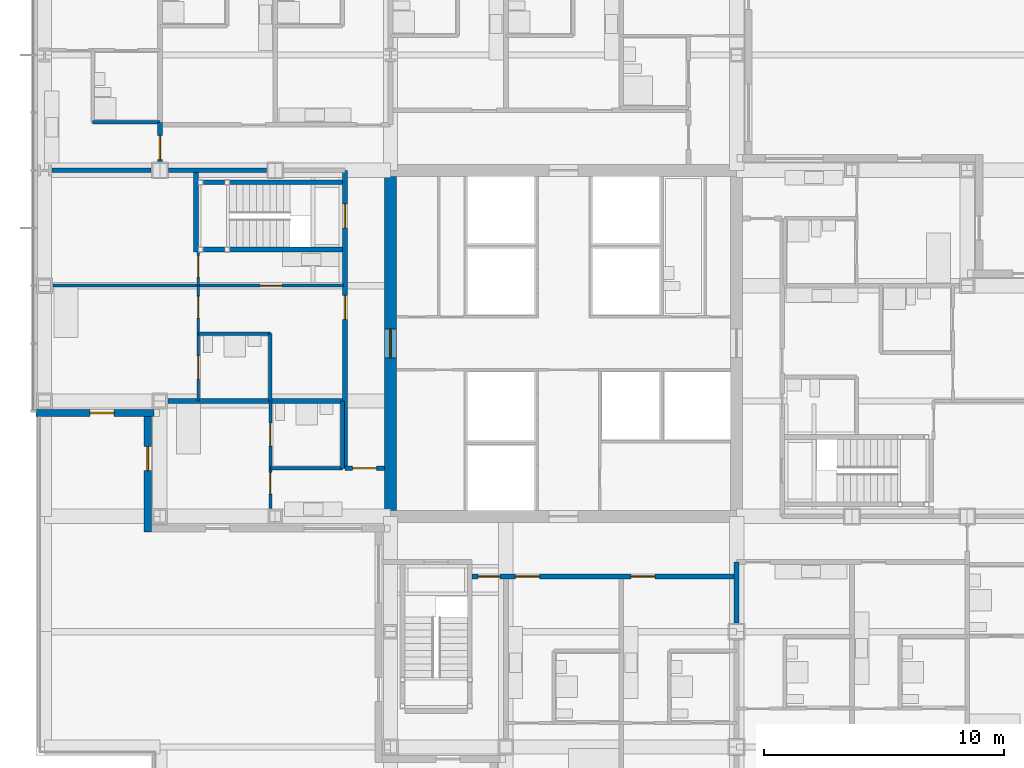
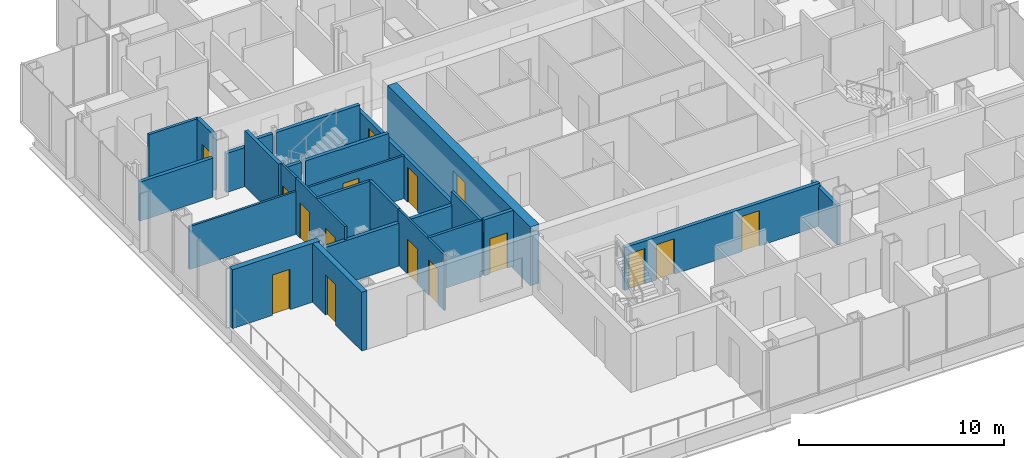
# One storey, part 12 of 19: 26 walls, 16 doors, 16 openings.
"""IFC4 building model written with IfcOpenShell, lengths in metres."""

from ifc_helpers import new_model, si_unit, direction, frame, frame_2d, origin, place, context, subcontext, project, spatial, rectangle, extrude, material, layer, layer_set, type_object, element, fill, save


model = new_model("IFC4")

# Units and contexts
model_context = context("Model", 3, precision=1e-05, world=origin(), true_north=direction((0.0, 1.0)))
body_context = subcontext(model_context, "Body", "Model", "MODEL_VIEW")
ifc_project = project(units=[si_unit("LENGTHUNIT", "METRE"), si_unit("AREAUNIT", "SQUARE_METRE"), si_unit("VOLUMEUNIT", "CUBIC_METRE"), si_unit("PLANEANGLEUNIT", "RADIAN"), si_unit("MASSUNIT", "GRAM", prefix="KILO")], contexts=[model_context])

# Site, building, storey
site_placement = place(None, origin())
site = spatial("IfcSite", under=ifc_project, at=site_placement, CompositionType="ELEMENT")
building_placement = place(site_placement, origin())
building = spatial("IfcBuilding", under=site, at=building_placement, Name="Kvirike Care Tower", CompositionType="ELEMENT")
storey_placement = place(building_placement, frame((0.0, 0.0, 84.0)))
storey = spatial("IfcBuildingStorey", under=building, at=storey_placement, Name="L22", CompositionType="ELEMENT", Elevation=84.0)

# Walls
ifc_material_1 = material(Name="Moisture-resistant board partition", Category="gypsum")
ifc_layer_1 = layer(ifc_material_1, 0.14990234375)
ifc_layer_set_1 = layer_set([ifc_layer_1], Name="BATHROOM WALL 150")
wall_type_1 = type_object("IfcWallType", Name="BATHROOM WALL 150", PredefinedType="PARTITIONING", material=ifc_layer_set_1)
wall_1_placement = place(storey_placement, frame((6.39990234375, 36.39990234375, 0.0), z_axis=(0.0, 0.0, 1.0), x_axis=(1.0, 0.0, 0.0)))
element("IfcWall", 1, at=wall_1_placement, inside=storey, type_object=wall_type_1, Name="Bathroom Wall 150 L22", PredefinedType="PARTITIONING", context=body_context, shape_type="SweptSolid", body=[
    extrude(rectangle(XDim=3.0, YDim=0.14990234375, at=frame_2d((1.5, 0.0))), origin(), (0.0, 0.0, 1.0), 3.330078125),
])
wall_2_placement = place(storey_placement, frame((9.39990234375, 36.39990234375, 0.0), z_axis=(0.0, 0.0, 1.0), x_axis=(0.0, -1.0, 0.0)))
element("IfcWall", 2, at=wall_2_placement, inside=storey, type_object=wall_type_1, Name="Bathroom Wall 150 L22", PredefinedType="PARTITIONING", context=body_context, shape_type="SweptSolid", body=[
    extrude(rectangle(XDim=2.7998046875, YDim=0.14990234375, at=frame_2d((1.39990234375, 0.0))), origin(), (0.0, 0.0, 1.0), 3.330078125),
])
wall_3_placement = place(storey_placement, frame((9.39990234375, 30.800048828125, 0.0), z_axis=(0.0, 0.0, 1.0), x_axis=(1.0, 0.0, 0.0)))
element("IfcWall", 3, at=wall_3_placement, inside=storey, type_object=wall_type_1, Name="Bathroom Wall 150 L22", PredefinedType="PARTITIONING", context=body_context, shape_type="SweptSolid", body=[
    extrude(rectangle(XDim=3.0, YDim=0.14990234375, at=frame_2d((1.5, 0.0))), origin(), (0.0, 0.0, 1.0), 3.330078125),
])
for number, where, z_axis, x_axis, name in (
    (4, (12.39990234375, 33.60009765625, 0.0), (0.0, 0.0, 1.0), (0.0, -1.0, 0.0), "Bathroom Wall 150 L22"),
    (5, (4.800048828125, 45.199951171875, 0.0), (0.0, 0.0, 1.0), (-1.0, 0.0, 0.0), "Bathroom Wall 150 L22"),
):
    element("IfcWall", number, at=place(storey_placement, frame(where, z_axis=z_axis, x_axis=x_axis)), inside=storey, type_object=wall_type_1, Name=name, PredefinedType="PARTITIONING", context=body_context, shape_type="SweptSolid", body=[
        extrude(rectangle(XDim=2.800048828125, YDim=0.14990234375, at=frame_2d((1.39990234375, 0.0))), origin(), (0.0, 0.0, 1.0), 3.330078125),
    ])

# Wall, opening, door
ifc_material_2 = material(Name="Concrete C50/60", Category="concrete")
ifc_layer_2 = layer(ifc_material_2, 0.5)
ifc_layer_set_2 = layer_set([ifc_layer_2], Name="CORE WALL 500 C50-60")
wall_type_2 = type_object("IfcWallType", Name="CORE WALL 500 C50-60", PredefinedType="SHEAR", material=ifc_layer_set_2)
wall_4_placement = place(storey_placement, frame((14.39990234375, 42.949951171875, -0.169921875), z_axis=(0.0, 0.0, 1.0), x_axis=(0.0, -1.0, 0.0)))
wall_4 = element("IfcWall", 6, at=wall_4_placement, inside=storey, type_object=wall_type_2, Name="Core wall W L22", PredefinedType="SHEAR", context=body_context, shape_type="SweptSolid", body=[
    extrude(rectangle(XDim=13.89990234375, YDim=0.5, at=frame_2d((6.949951171875, 0.0))), origin(), (0.0, 0.0, 1.0), 3.5),
])
opening_1_placement = place(wall_4_placement, frame((6.35009765625, 0.0, 0.169921875)))
opening_1 = element("IfcOpeningElement", 7, at=opening_1_placement, cuts=wall_4, Name="Opening 22-068", PredefinedType="OPENING", context=body_context, shape_type="SweptSolid", body=[
    extrude(rectangle(XDim=1.199951171875, YDim=2.10009765625, at=frame_2d((0.60009765625, 1.050048828125))), frame((0.0, 0.260498046875, 0.0), z_axis=(0.0, -1.0, 0.0), x_axis=(1.0, 0.0, 0.0)), (0.0, 0.0, 1.0), 0.52099609375),
])
ifc_material_3 = material(Name="Timber door set", Category="wood")
door_type_1 = type_object("IfcDoorType", Name="CORE DOOR 1200", OperationType="SINGLE_SWING_LEFT", PredefinedType="DOOR", material=ifc_material_3)
door_1_placement = place(opening_1_placement, origin())
door_1 = element("IfcDoor", 8, at=door_1_placement, inside=storey, type_object=door_type_1, Name="Core door W L22", OperationType="SINGLE_SWING_LEFT", OverallHeight=2.10009765625, OverallWidth=1.199951171875, PredefinedType="DOOR", context=body_context, shape_type="SweptSolid", body=[
    extrude(rectangle(XDim=1.199951171875, YDim=2.10009765625, at=frame_2d((0.60009765625, 1.050048828125))), frame((0.0, 0.02685546875, 0.0), z_axis=(0.0, -1.0, 0.0), x_axis=(1.0, 0.0, 0.0)), (0.0, 0.0, 1.0), 0.053955078125),
])
fill(opening_1, door_1)

# Wall, openings, doors
ifc_material_4 = material(Name="Plasterboard corridor wall", Category="gypsum")
ifc_layer_3 = layer(ifc_material_4, 0.199951171875)
ifc_layer_set_3 = layer_set([ifc_layer_3], Name="CORRIDOR WALL 200")
wall_type_3 = type_object("IfcWallType", Name="CORRIDOR WALL 200", PredefinedType="PARTITIONING", material=ifc_layer_set_3)
wall_5_placement = place(storey_placement, frame((12.5, 43.199951171875, 0.0), z_axis=(0.0, 0.0, 1.0), x_axis=(0.0, -1.0, 0.0)))
wall_5 = element("IfcWall", 9, at=wall_5_placement, inside=storey, type_object=wall_type_3, Name="Corridor Wall 200 L22", PredefinedType="PARTITIONING", context=body_context, shape_type="SweptSolid", body=[
    extrude(rectangle(XDim=12.39990234375, YDim=0.199951171875, at=frame_2d((6.199951171875, 0.0))), origin(), (0.0, 0.0, 1.0), 2.550048828125),
])
opening_2_placement = place(wall_5_placement, frame((1.39990234375, 0.0, 0.0)))
opening_2 = element("IfcOpeningElement", 10, at=opening_2_placement, cuts=wall_5, Name="Opening 22-007", PredefinedType="OPENING", context=body_context, shape_type="SweptSolid", body=[
    extrude(rectangle(XDim=1.0, YDim=2.10009765625, at=frame_2d((0.5, 1.050048828125))), frame((0.0, 0.110595703125, 0.0), z_axis=(0.0, -1.0, 0.0), x_axis=(1.0, 0.0, 0.0)), (0.0, 0.0, 1.0), 0.220947265625),
])
opening_3_placement = place(wall_5_placement, frame((5.199951171875, 0.0, 0.0)))
opening_3 = element("IfcOpeningElement", 11, at=opening_3_placement, cuts=wall_5, Name="Opening 22-008", PredefinedType="OPENING", context=body_context, shape_type="SweptSolid", body=[
    extrude(rectangle(XDim=1.0, YDim=2.10009765625, at=frame_2d((0.5, 1.050048828125))), frame((0.0, 0.110595703125, 0.0), z_axis=(0.0, -1.0, 0.0), x_axis=(1.0, 0.0, 0.0)), (0.0, 0.0, 1.0), 0.220947265625),
])
ifc_material_5 = material(Name="Timber door set", Category="wood")
door_type_2 = type_object("IfcDoorType", Name="FLAT ENTRANCE DOOR 1000", OperationType="SINGLE_SWING_LEFT", PredefinedType="DOOR", material=ifc_material_5)
door_2_placement = place(opening_3_placement, frame((1.0, 0.0, 0.0), z_axis=(0.0, 0.0, 1.0), x_axis=(-1.0, 0.0, 0.0)))
door_2 = element("IfcDoor", 12, at=door_2_placement, inside=storey, type_object=door_type_2, Name="Assisted living suite entrance", OperationType="SINGLE_SWING_LEFT", OverallHeight=2.10009765625, OverallWidth=1.0, PredefinedType="DOOR", context=body_context, shape_type="SweptSolid", body=[
    extrude(rectangle(XDim=1.0, YDim=2.10009765625, at=frame_2d((0.5, 1.050048828125))), frame((0.0, 0.02685546875, 0.0), z_axis=(0.0, -1.0, 0.0), x_axis=(1.0, 0.0, 0.0)), (0.0, 0.0, 1.0), 0.053955078125),
])
fill(opening_3, door_2)
ifc_material_6 = material(Name="Timber door set", Category="wood")
door_type_3 = type_object("IfcDoorType", Name="STAIR DOOR 1000", OperationType="SINGLE_SWING_LEFT", PredefinedType="DOOR", material=ifc_material_6)
door_3_placement = place(opening_2_placement, frame((1.0, 0.0, 0.0), z_axis=(0.0, 0.0, 1.0), x_axis=(-1.0, 0.0, 0.0)))
door_3 = element("IfcDoor", 13, at=door_3_placement, inside=storey, type_object=door_type_3, Name="Stair 1 door", OperationType="SINGLE_SWING_LEFT", OverallHeight=2.10009765625, OverallWidth=1.0, PredefinedType="DOOR", context=body_context, shape_type="SweptSolid", body=[
    extrude(rectangle(XDim=1.0, YDim=2.10009765625, at=frame_2d((0.5, 1.050048828125))), frame((0.0, 0.031982421875, 0.0), z_axis=(0.0, -1.0, 0.0), x_axis=(1.0, 0.0, 0.0)), (0.0, 0.0, 1.0), 0.06396484375),
])
fill(opening_2, door_3)

# Wall, opening, door
wall_6_placement = place(storey_placement, frame((4.800048828125, 45.199951171875, 0.0), z_axis=(0.0, 0.0, 1.0), x_axis=(0.0, -1.0, 0.0)))
wall_6 = element("IfcWall", 14, at=wall_6_placement, inside=storey, type_object=wall_type_3, Name="Corridor Wall 200 L22", PredefinedType="PARTITIONING", context=body_context, shape_type="SweptSolid", body=[
    extrude(rectangle(XDim=1.6298828125, YDim=0.199951171875, at=frame_2d((0.81494140625, 0.0))), origin(), (0.0, 0.0, 1.0), 3.330078125),
])
opening_4_placement = place(wall_6_placement, frame((0.550048828125, 0.0, 0.0)))
opening_4 = element("IfcOpeningElement", 15, at=opening_4_placement, cuts=wall_6, Name="Opening 22-017", PredefinedType="OPENING", context=body_context, shape_type="SweptSolid", body=[
    extrude(rectangle(XDim=1.0, YDim=2.10009765625, at=frame_2d((0.5, 1.050048828125))), frame((0.0, 0.110595703125, 0.0), z_axis=(0.0, -1.0, 0.0), x_axis=(1.0, 0.0, 0.0)), (0.0, 0.0, 1.0), 0.220947265625),
])
door_4_placement = place(opening_4_placement, frame((1.0, 0.0, 0.0), z_axis=(0.0, 0.0, 1.0), x_axis=(-1.0, 0.0, 0.0)))
door_4 = element("IfcDoor", 16, at=door_4_placement, inside=storey, type_object=door_type_2, Name="Assisted living suite entrance", OperationType="SINGLE_SWING_RIGHT", OverallHeight=2.10009765625, OverallWidth=1.0, PredefinedType="DOOR", context=body_context, shape_type="SweptSolid", body=[
    extrude(rectangle(XDim=1.0, YDim=2.10009765625, at=frame_2d((0.5, 1.050048828125))), frame((0.0, 0.02685546875, 0.0), z_axis=(0.0, -1.0, 0.0), x_axis=(1.0, 0.0, 0.0)), (0.0, 0.0, 1.0), 0.053955078125),
])
fill(opening_4, door_4)

# Wall, openings, doors
wall_7_placement = place(storey_placement, frame((17.800048828125, 26.300048828125, 0.0), z_axis=(0.0, 0.0, 1.0), x_axis=(1.0, 0.0, 0.0)))
wall_7 = element("IfcWall", 17, at=wall_7_placement, inside=storey, type_object=wall_type_3, Name="Corridor Wall 200 L22", PredefinedType="PARTITIONING", context=body_context, shape_type="SweptSolid", body=[
    extrude(rectangle(XDim=11.0, YDim=0.199951171875, at=frame_2d((5.5, 0.0))), origin(), (0.0, 0.0, 1.0), 2.550048828125),
])
opening_5_placement = place(wall_7_placement, frame((0.25, 0.0, 0.0)))
opening_5 = element("IfcOpeningElement", 18, at=opening_5_placement, cuts=wall_7, Name="Opening 22-023", PredefinedType="OPENING", context=body_context, shape_type="SweptSolid", body=[
    extrude(rectangle(XDim=0.89990234375, YDim=2.10009765625, at=frame_2d((0.449951171875, 1.050048828125))), frame((0.0, 0.110595703125, 0.0), z_axis=(0.0, -1.0, 0.0), x_axis=(1.0, 0.0, 0.0)), (0.0, 0.0, 1.0), 0.220947265625),
])
opening_6_placement = place(wall_7_placement, frame((1.800048828125, 0.0, 0.0)))
opening_6 = element("IfcOpeningElement", 19, at=opening_6_placement, cuts=wall_7, Name="Opening 22-024", PredefinedType="OPENING", context=body_context, shape_type="SweptSolid", body=[
    extrude(rectangle(XDim=1.0, YDim=2.10009765625, at=frame_2d((0.5, 1.050048828125))), frame((0.0, 0.110595703125, 0.0), z_axis=(0.0, -1.0, 0.0), x_axis=(1.0, 0.0, 0.0)), (0.0, 0.0, 1.0), 0.220947265625),
])
opening_7_placement = place(wall_7_placement, frame((6.60009765625, 0.0, 0.0)))
opening_7 = element("IfcOpeningElement", 20, at=opening_7_placement, cuts=wall_7, Name="Opening 22-025", PredefinedType="OPENING", context=body_context, shape_type="SweptSolid", body=[
    extrude(rectangle(XDim=1.0, YDim=2.10009765625, at=frame_2d((0.5, 1.050048828125))), frame((0.0, 0.110595703125, 0.0), z_axis=(0.0, -1.0, 0.0), x_axis=(1.0, 0.0, 0.0)), (0.0, 0.0, 1.0), 0.220947265625),
])
door_5_placement = place(opening_6_placement, frame((1.0, 0.0, 0.0), z_axis=(0.0, 0.0, 1.0), x_axis=(-1.0, 0.0, 0.0)))
door_5 = element("IfcDoor", 21, at=door_5_placement, inside=storey, type_object=door_type_2, Name="Assisted living suite entrance", OperationType="SINGLE_SWING_LEFT", OverallHeight=2.10009765625, OverallWidth=1.0, PredefinedType="DOOR", context=body_context, shape_type="SweptSolid", body=[
    extrude(rectangle(XDim=1.0, YDim=2.10009765625, at=frame_2d((0.5, 1.050048828125))), frame((0.0, 0.02685546875, 0.0), z_axis=(0.0, -1.0, 0.0), x_axis=(1.0, 0.0, 0.0)), (0.0, 0.0, 1.0), 0.053955078125),
])
fill(opening_6, door_5)
door_6_placement = place(opening_7_placement, frame((1.0, 0.0, 0.0), z_axis=(0.0, 0.0, 1.0), x_axis=(-1.0, 0.0, 0.0)))
door_6 = element("IfcDoor", 22, at=door_6_placement, inside=storey, type_object=door_type_2, Name="Assisted living suite entrance", OperationType="SINGLE_SWING_LEFT", OverallHeight=2.10009765625, OverallWidth=1.0, PredefinedType="DOOR", context=body_context, shape_type="SweptSolid", body=[
    extrude(rectangle(XDim=1.0, YDim=2.10009765625, at=frame_2d((0.5, 1.050048828125))), frame((0.0, 0.02685546875, 0.0), z_axis=(0.0, -1.0, 0.0), x_axis=(1.0, 0.0, 0.0)), (0.0, 0.0, 1.0), 0.053955078125),
])
fill(opening_7, door_6)
ifc_material_7 = material(Name="Timber door set", Category="wood")
door_type_4 = type_object("IfcDoorType", Name="STORE DOOR 900", OperationType="SINGLE_SWING_LEFT", PredefinedType="DOOR", material=ifc_material_7)
door_7_placement = place(opening_5_placement, frame((0.89990234375, 0.0, 0.0), z_axis=(0.0, 0.0, 1.0), x_axis=(-1.0, 0.0, 0.0)))
door_7 = element("IfcDoor", 23, at=door_7_placement, inside=storey, type_object=door_type_4, Name="Housekeeping room door", OperationType="SINGLE_SWING_LEFT", OverallHeight=2.10009765625, OverallWidth=0.89990234375, PredefinedType="DOOR", context=body_context, shape_type="SweptSolid", body=[
    extrude(rectangle(XDim=0.89990234375, YDim=2.10009765625, at=frame_2d((0.449951171875, 1.050048828125))), frame((0.0, 0.02685546875, 0.0), z_axis=(0.0, -1.0, 0.0), x_axis=(1.0, 0.0, 0.0)), (0.0, 0.0, 1.0), 0.053955078125),
])
fill(opening_5, door_7)

# Wall, opening, door
wall_8_placement = place(storey_placement, frame((12.5, 30.800048828125, 0.0), z_axis=(0.0, 0.0, 1.0), x_axis=(1.0, 0.0, 0.0)))
wall_8 = element("IfcWall", 24, at=wall_8_placement, inside=storey, type_object=wall_type_3, Name="Corridor Wall 200 L22", PredefinedType="PARTITIONING", context=body_context, shape_type="SweptSolid", body=[
    extrude(rectangle(XDim=1.64990234375, YDim=0.199951171875, at=frame_2d((0.824951171875, 0.0))), origin(), (0.0, 0.0, 1.0), 3.330078125),
])
opening_8_placement = place(wall_8_placement, frame((0.324951171875, 0.0, 0.0)))
opening_8 = element("IfcOpeningElement", 25, at=opening_8_placement, cuts=wall_8, Name="Opening 22-064", PredefinedType="OPENING", context=body_context, shape_type="SweptSolid", body=[
    extrude(rectangle(XDim=1.0, YDim=2.10009765625, at=frame_2d((0.5, 1.050048828125))), frame((0.0, 0.110595703125, 0.0), z_axis=(0.0, -1.0, 0.0), x_axis=(1.0, 0.0, 0.0)), (0.0, 0.0, 1.0), 0.220947265625),
])
door_8_placement = place(opening_8_placement, frame((1.0, 0.0, 0.0), z_axis=(0.0, 0.0, 1.0), x_axis=(-1.0, 0.0, 0.0)))
door_8 = element("IfcDoor", 26, at=door_8_placement, inside=storey, type_object=door_type_2, Name="Assisted living suite entrance", OperationType="SINGLE_SWING_RIGHT", OverallHeight=2.10009765625, OverallWidth=1.0, PredefinedType="DOOR", context=body_context, shape_type="SweptSolid", body=[
    extrude(rectangle(XDim=1.0, YDim=2.10009765625, at=frame_2d((0.5, 1.050048828125))), frame((0.0, 0.02685546875, 0.0), z_axis=(0.0, -1.0, 0.0), x_axis=(1.0, 0.0, 0.0)), (0.0, 0.0, 1.0), 0.053955078125),
])
fill(opening_8, door_8)

ifc_material_8 = material(Name="Plasterboard partition", Category="gypsum")
ifc_layer_4 = layer(ifc_material_8, 0.1201171875)
ifc_layer_set_4 = layer_set([ifc_layer_4], Name="PARTITION 120")
wall_type_4 = type_object("IfcWallType", Name="PARTITION 120", PredefinedType="PARTITIONING", material=ifc_layer_set_4)
wall_9_placement = place(storey_placement, frame((6.39990234375, 38.39990234375, 0.0), z_axis=(0.0, 0.0, 1.0), x_axis=(1.0, 0.0, 0.0)))
wall_9 = element("IfcWall", 27, at=wall_9_placement, inside=storey, type_object=wall_type_4, Name="Partition 120 L22", PredefinedType="PARTITIONING", context=body_context, shape_type="SweptSolid", body=[
    extrude(rectangle(XDim=6.050048828125, YDim=0.1201171875, at=frame_2d((3.02490234375, 0.0))), origin(), (0.0, 0.0, 1.0), 2.550048828125),
])
opening_9_placement = place(wall_9_placement, frame((2.574951171875, 0.0, 0.0)))
opening_9 = element("IfcOpeningElement", 28, at=opening_9_placement, cuts=wall_9, Name="Opening 22-001", PredefinedType="OPENING", context=body_context, shape_type="SweptSolid", body=[
    extrude(rectangle(XDim=0.89990234375, YDim=2.10009765625, at=frame_2d((0.449951171875, 1.050048828125))), frame((0.0, 0.070556640625, 0.0), z_axis=(0.0, -1.0, 0.0), x_axis=(1.0, 0.0, 0.0)), (0.0, 0.0, 1.0), 0.14111328125),
])
ifc_material_9 = material(Name="Timber door set", Category="wood")
door_type_5 = type_object("IfcDoorType", Name="INTERNAL DOOR 900", OperationType="SINGLE_SWING_LEFT", PredefinedType="DOOR", material=ifc_material_9)
door_9_placement = place(opening_9_placement, origin())
door_9 = element("IfcDoor", 29, at=door_9_placement, inside=storey, type_object=door_type_5, Name="Hall door", OperationType="SINGLE_SWING_RIGHT", OverallHeight=2.10009765625, OverallWidth=0.89990234375, PredefinedType="DOOR", context=body_context, shape_type="SweptSolid", body=[
    extrude(rectangle(XDim=0.89990234375, YDim=2.10009765625, at=frame_2d((0.449951171875, 1.050048828125))), frame((0.0, 0.02197265625, 0.0), z_axis=(0.0, -1.0, 0.0), x_axis=(1.0, 0.0, 0.0)), (0.0, 0.0, 1.0), 0.0439453125),
])
fill(opening_9, door_9)

wall_10_placement = place(storey_placement, frame((6.39990234375, 39.800048828125, 0.0), z_axis=(0.0, 0.0, 1.0), x_axis=(0.0, -1.0, 0.0)))
wall_10 = element("IfcWall", 30, at=wall_10_placement, inside=storey, type_object=wall_type_4, Name="Partition 120 L22", PredefinedType="PARTITIONING", context=body_context, shape_type="SweptSolid", body=[
    extrude(rectangle(XDim=1.400146484375, YDim=0.1201171875, at=frame_2d((0.7001953125, 0.0))), origin(), (0.0, 0.0, 1.0), 3.330078125),
])
opening_10_placement = place(wall_10_placement, frame((0.14990234375, 0.0, 0.0)))
opening_10 = element("IfcOpeningElement", 31, at=opening_10_placement, cuts=wall_10, Name="Opening 22-002", PredefinedType="OPENING", context=body_context, shape_type="SweptSolid", body=[
    extrude(rectangle(XDim=0.89990234375, YDim=2.10009765625, at=frame_2d((0.449951171875, 1.050048828125))), frame((0.0, 0.070556640625, 0.0), z_axis=(0.0, -1.0, 0.0), x_axis=(1.0, 0.0, 0.0)), (0.0, 0.0, 1.0), 0.14111328125),
])
door_10_placement = place(opening_10_placement, origin())
door_10 = element("IfcDoor", 32, at=door_10_placement, inside=storey, type_object=door_type_5, Name="Suite sitting room door", OperationType="SINGLE_SWING_RIGHT", OverallHeight=2.10009765625, OverallWidth=0.89990234375, PredefinedType="DOOR", context=body_context, shape_type="SweptSolid", body=[
    extrude(rectangle(XDim=0.89990234375, YDim=2.10009765625, at=frame_2d((0.449951171875, 1.050048828125))), frame((0.0, 0.02197265625, 0.0), z_axis=(0.0, -1.0, 0.0), x_axis=(1.0, 0.0, 0.0)), (0.0, 0.0, 1.0), 0.0439453125),
])
fill(opening_10, door_10)

# Wall, openings, doors
wall_11_placement = place(storey_placement, frame((6.39990234375, 38.39990234375, 0.0), z_axis=(0.0, 0.0, 1.0), x_axis=(0.0, -1.0, 0.0)))
wall_11 = element("IfcWall", 33, at=wall_11_placement, inside=storey, type_object=wall_type_4, Name="Partition 120 L22", PredefinedType="PARTITIONING", context=body_context, shape_type="SweptSolid", body=[
    extrude(rectangle(XDim=4.7998046875, YDim=0.1201171875, at=frame_2d((2.39990234375, 0.0))), origin(), (0.0, 0.0, 1.0), 3.330078125),
])
opening_11_placement = place(wall_11_placement, frame((0.449951171875, 0.0, 0.0)))
opening_11 = element("IfcOpeningElement", 34, at=opening_11_placement, cuts=wall_11, Name="Opening 22-003", PredefinedType="OPENING", context=body_context, shape_type="SweptSolid", body=[
    extrude(rectangle(XDim=0.89990234375, YDim=2.10009765625, at=frame_2d((0.449951171875, 1.050048828125))), frame((0.0, 0.070556640625, 0.0), z_axis=(0.0, -1.0, 0.0), x_axis=(1.0, 0.0, 0.0)), (0.0, 0.0, 1.0), 0.14111328125),
])
opening_12_placement = place(wall_11_placement, frame((2.925048828125, 0.0, 0.0)))
opening_12 = element("IfcOpeningElement", 35, at=opening_12_placement, cuts=wall_11, Name="Opening 22-004", PredefinedType="OPENING", context=body_context, shape_type="SweptSolid", body=[
    extrude(rectangle(XDim=0.949951171875, YDim=2.10009765625, at=frame_2d((0.47509765625, 1.050048828125))), frame((0.0, 0.070556640625, 0.0), z_axis=(0.0, -1.0, 0.0), x_axis=(1.0, 0.0, 0.0)), (0.0, 0.0, 1.0), 0.14111328125),
])
ifc_material_10 = material(Name="Timber door set", Category="wood")
door_type_6 = type_object("IfcDoorType", Name="EN-SUITE SLIDING DOOR 950", OperationType="SLIDING_TO_LEFT", PredefinedType="DOOR", material=ifc_material_10)
door_11_placement = place(opening_12_placement, origin())
door_11 = element("IfcDoor", 36, at=door_11_placement, inside=storey, type_object=door_type_6, Name="En-suite door", OperationType="SLIDING_TO_RIGHT", OverallHeight=2.10009765625, OverallWidth=0.949951171875, PredefinedType="DOOR", context=body_context, shape_type="SweptSolid", body=[
    extrude(rectangle(XDim=0.949951171875, YDim=2.10009765625, at=frame_2d((0.47509765625, 1.050048828125))), frame((0.0, 0.02197265625, 0.0), z_axis=(0.0, -1.0, 0.0), x_axis=(1.0, 0.0, 0.0)), (0.0, 0.0, 1.0), 0.0439453125),
])
fill(opening_12, door_11)
door_12_placement = place(opening_11_placement, origin())
door_12 = element("IfcDoor", 37, at=door_12_placement, inside=storey, type_object=door_type_5, Name="Assisted living suite door", OperationType="SINGLE_SWING_RIGHT", OverallHeight=2.10009765625, OverallWidth=0.89990234375, PredefinedType="DOOR", context=body_context, shape_type="SweptSolid", body=[
    extrude(rectangle(XDim=0.89990234375, YDim=2.10009765625, at=frame_2d((0.449951171875, 1.050048828125))), frame((0.0, 0.02197265625, 0.0), z_axis=(0.0, -1.0, 0.0), x_axis=(1.0, 0.0, 0.0)), (0.0, 0.0, 1.0), 0.0439453125),
])
fill(opening_11, door_12)

# Wall
wall_12_placement = place(storey_placement, frame((0.344970703125, 38.39990234375, 0.0), z_axis=(0.0, 0.0, 1.0), x_axis=(1.0, 0.0, 0.0)))
element("IfcWall", 38, at=wall_12_placement, inside=storey, type_object=wall_type_4, Name="Partition 120 L22", PredefinedType="PARTITIONING", context=body_context, shape_type="SweptSolid", body=[
    extrude(rectangle(XDim=6.054931640625, YDim=0.1201171875, at=frame_2d((3.02734375, 0.0))), origin(), (0.0, 0.0, 1.0), 2.550048828125),
])

# Wall, openings, doors
wall_13_placement = place(storey_placement, frame((9.39990234375, 33.60009765625, 0.0), z_axis=(0.0, 0.0, 1.0), x_axis=(0.0, -1.0, 0.0)))
wall_13 = element("IfcWall", 39, at=wall_13_placement, inside=storey, type_object=wall_type_4, Name="Partition 120 L22", PredefinedType="PARTITIONING", context=body_context, shape_type="SweptSolid", body=[
    extrude(rectangle(XDim=4.47998046875, YDim=0.1201171875, at=frame_2d((2.239990234375, 0.0))), origin(), (0.0, 0.0, 1.0), 3.330078125),
])
opening_13_placement = place(wall_13_placement, frame((2.97509765625, 0.0, 0.0)))
opening_13 = element("IfcOpeningElement", 40, at=opening_13_placement, cuts=wall_13, Name="Opening 22-005", PredefinedType="OPENING", context=body_context, shape_type="SweptSolid", body=[
    extrude(rectangle(XDim=0.89990234375, YDim=2.10009765625, at=frame_2d((0.449951171875, 1.050048828125))), frame((0.0, 0.070556640625, 0.0), z_axis=(0.0, -1.0, 0.0), x_axis=(1.0, 0.0, 0.0)), (0.0, 0.0, 1.0), 0.14111328125),
])
opening_14_placement = place(wall_13_placement, frame((0.925048828125, 0.0, 0.0)))
opening_14 = element("IfcOpeningElement", 41, at=opening_14_placement, cuts=wall_13, Name="Opening 22-006", PredefinedType="OPENING", context=body_context, shape_type="SweptSolid", body=[
    extrude(rectangle(XDim=0.949951171875, YDim=2.10009765625, at=frame_2d((0.47509765625, 1.050048828125))), frame((0.0, 0.070556640625, 0.0), z_axis=(0.0, -1.0, 0.0), x_axis=(1.0, 0.0, 0.0)), (0.0, 0.0, 1.0), 0.14111328125),
])
door_13_placement = place(opening_14_placement, origin())
door_13 = element("IfcDoor", 42, at=door_13_placement, inside=storey, type_object=door_type_6, Name="En-suite door", OperationType="SLIDING_TO_LEFT", OverallHeight=2.10009765625, OverallWidth=0.949951171875, PredefinedType="DOOR", context=body_context, shape_type="SweptSolid", body=[
    extrude(rectangle(XDim=0.949951171875, YDim=2.10009765625, at=frame_2d((0.47509765625, 1.050048828125))), frame((0.0, 0.02197265625, 0.0), z_axis=(0.0, -1.0, 0.0), x_axis=(1.0, 0.0, 0.0)), (0.0, 0.0, 1.0), 0.0439453125),
])
fill(opening_14, door_13)
door_14_placement = place(opening_13_placement, origin())
door_14 = element("IfcDoor", 43, at=door_14_placement, inside=storey, type_object=door_type_5, Name="Assisted living suite door", OperationType="SINGLE_SWING_RIGHT", OverallHeight=2.10009765625, OverallWidth=0.89990234375, PredefinedType="DOOR", context=body_context, shape_type="SweptSolid", body=[
    extrude(rectangle(XDim=0.89990234375, YDim=2.10009765625, at=frame_2d((0.449951171875, 1.050048828125))), frame((0.0, 0.02197265625, 0.0), z_axis=(0.0, -1.0, 0.0), x_axis=(1.0, 0.0, 0.0)), (0.0, 0.0, 1.0), 0.0439453125),
])
fill(opening_13, door_14)

# Walls
ifc_material_11 = material(Name="Plasterboard party wall", Category="gypsum")
ifc_layer_5 = layer(ifc_material_11, 0.199951171875)
ifc_layer_set_5 = layer_set([ifc_layer_5], Name="PARTY WALL 200")
wall_type_5 = type_object("IfcWallType", Name="PARTY WALL 200", PredefinedType="PARTITIONING", material=ifc_layer_set_5)
wall_14_placement = place(storey_placement, frame((5.14501953125, 33.60009765625, 0.0), z_axis=(0.0, 0.0, 1.0), x_axis=(1.0, 0.0, 0.0)))
element("IfcWall", 44, at=wall_14_placement, inside=storey, type_object=wall_type_5, Name="Party Wall 200 L22", PredefinedType="PARTITIONING", context=body_context, shape_type="SweptSolid", body=[
    extrude(rectangle(XDim=7.2548828125, YDim=0.199951171875, at=frame_2d((3.62744140625, 0.0))), origin(), (0.0, 0.0, 1.0), 2.550048828125),
])
wall_15_placement = place(storey_placement, frame((9.22998046875, 43.199951171875, 0.0), z_axis=(0.0, 0.0, 1.0), x_axis=(-1.0, 0.0, 0.0)))
element("IfcWall", 45, at=wall_15_placement, inside=storey, type_object=wall_type_5, Name="Party Wall 200 L22", PredefinedType="PARTITIONING", context=body_context, shape_type="SweptSolid", body=[
    extrude(rectangle(XDim=4.06005859375, YDim=0.199951171875, at=frame_2d((2.030029296875, 0.0))), origin(), (0.0, 0.0, 1.0), 2.320068359375),
])
wall_16_placement = place(storey_placement, frame((4.429931640625, 43.199951171875, 0.0), z_axis=(0.0, 0.0, 1.0), x_axis=(-1.0, 0.0, 0.0)))
element("IfcWall", 46, at=wall_16_placement, inside=storey, type_object=wall_type_5, Name="Party Wall 200 L22", PredefinedType="PARTITIONING", context=body_context, shape_type="SweptSolid", body=[
    extrude(rectangle(XDim=4.12548828125, YDim=0.199951171875, at=frame_2d((2.062744140625, 0.0))), origin(), (0.0, 0.0, 1.0), 2.320068359375),
])
wall_17_placement = place(storey_placement, frame((28.800048828125, 24.3701171875, 0.0), z_axis=(0.0, 0.0, 1.0), x_axis=(0.0, 1.0, 0.0)))
element("IfcWall", 47, at=wall_17_placement, inside=storey, type_object=wall_type_5, Name="Party Wall 200 L22", PredefinedType="PARTITIONING", context=body_context, shape_type="SweptSolid", body=[
    extrude(rectangle(XDim=2.52978515625, YDim=0.199951171875, at=frame_2d((1.264892578125, 0.0))), origin(), (0.0, 0.0, 1.0), 2.320068359375),
])
ifc_material_12 = material(Name="Concrete C40/50", Category="concrete")
ifc_layer_6 = layer(ifc_material_12, 0.199951171875)
ifc_layer_set_6 = layer_set([ifc_layer_6], Name="STAIR WALL 200")
wall_type_6 = type_object("IfcWallType", Name="STAIR WALL 200", PredefinedType="SOLIDWALL", material=ifc_layer_set_6)
wall_18_placement = place(storey_placement, frame((6.60009765625, 42.699951171875, 0.0), z_axis=(0.0, 0.0, 1.0), x_axis=(1.0, 0.0, 0.0)))
element("IfcWall", 48, at=wall_18_placement, inside=storey, type_object=wall_type_6, Name="Stair Wall 200 L22", PredefinedType="SOLIDWALL", context=body_context, shape_type="SweptSolid", body=[
    extrude(rectangle(XDim=0.89990234375, YDim=0.199951171875, at=frame_2d((0.449951171875, 0.0))), origin(), (0.0, 0.0, 1.0), 2.989990234375),
])
wall_19_placement = place(storey_placement, frame((7.699951171875, 42.699951171875, 0.0), z_axis=(0.0, 0.0, 1.0), x_axis=(1.0, 0.0, 0.0)))
element("IfcWall", 49, at=wall_19_placement, inside=storey, type_object=wall_type_6, Name="Stair Wall 200 L22", PredefinedType="SOLIDWALL", context=body_context, shape_type="SweptSolid", body=[
    extrude(rectangle(XDim=4.699951171875, YDim=0.199951171875, at=frame_2d((2.35009765625, 0.0))), origin(), (0.0, 0.0, 1.0), 2.989990234375),
])
wall_20_placement = place(storey_placement, frame((6.60009765625, 39.89990234375, 0.0), z_axis=(0.0, 0.0, 1.0), x_axis=(1.0, 0.0, 0.0)))
element("IfcWall", 50, at=wall_20_placement, inside=storey, type_object=wall_type_6, Name="Stair Wall 200 L22", PredefinedType="SOLIDWALL", context=body_context, shape_type="SweptSolid", body=[
    extrude(rectangle(XDim=0.89990234375, YDim=0.199951171875, at=frame_2d((0.449951171875, 0.0))), origin(), (0.0, 0.0, 1.0), 2.989990234375),
])
wall_21_placement = place(storey_placement, frame((7.699951171875, 39.89990234375, 0.0), z_axis=(0.0, 0.0, 1.0), x_axis=(1.0, 0.0, 0.0)))
element("IfcWall", 51, at=wall_21_placement, inside=storey, type_object=wall_type_6, Name="Stair Wall 200 L22", PredefinedType="SOLIDWALL", context=body_context, shape_type="SweptSolid", body=[
    extrude(rectangle(XDim=4.699951171875, YDim=0.199951171875, at=frame_2d((2.35009765625, 0.0))), origin(), (0.0, 0.0, 1.0), 2.989990234375),
])
wall_22_placement = place(storey_placement, frame((6.300048828125, 43.10009765625, 0.0), z_axis=(0.0, 0.0, 1.0), x_axis=(0.0, -1.0, 0.0)))
element("IfcWall", 52, at=wall_22_placement, inside=storey, type_object=wall_type_6, Name="Stair Wall 200 L22", PredefinedType="SOLIDWALL", context=body_context, shape_type="SweptSolid", body=[
    extrude(rectangle(XDim=3.300048828125, YDim=0.199951171875, at=frame_2d((1.64990234375, 0.0))), origin(), (0.0, 0.0, 1.0), 3.330078125),
])

# Wall, opening, door
ifc_material_13 = material(Name="Bronze-clad insulated blockwork wall", Category="masonry")
ifc_layer_7 = layer(ifc_material_13, 0.300048828125)
ifc_layer_set_7 = layer_set([ifc_layer_7], Name="TERRACE WALL 300")
wall_type_7 = type_object("IfcWallType", Name="TERRACE WALL 300", PredefinedType="SOLIDWALL", material=ifc_layer_set_7)
wall_23_placement = place(storey_placement, frame((-0.35009765625, 33.10009765625, 0.0), z_axis=(0.0, 0.0, 1.0), x_axis=(1.0, 0.0, 0.0)))
wall_23 = element("IfcWall", 53, at=wall_23_placement, inside=storey, type_object=wall_type_7, Name="Terrace wall L22 face 12", PredefinedType="SOLIDWALL", context=body_context, shape_type="SweptSolid", body=[
    extrude(rectangle(XDim=4.900146484375, YDim=0.300048828125, at=frame_2d((2.4501953125, 0.0))), origin(), (0.0, 0.0, 1.0), 3.5),
])
opening_15_placement = place(wall_23_placement, frame((2.25, 0.0, 0.0)))
opening_15 = element("IfcOpeningElement", 54, at=opening_15_placement, cuts=wall_23, Name="Opening 22-807", PredefinedType="OPENING", context=body_context, shape_type="SweptSolid", body=[
    extrude(rectangle(XDim=1.0, YDim=2.39990234375, at=frame_2d((0.5, 1.199951171875))), frame((0.0, 0.16064453125, 0.0), z_axis=(0.0, -1.0, 0.0), x_axis=(1.0, 0.0, 0.0)), (0.0, 0.0, 1.0), 0.321044921875),
])
ifc_material_14 = material(Name="Aluminium door frame", Category="aluminium")
door_type_7 = type_object("IfcDoorType", Name="TERRACE DOOR 1000", OperationType="SINGLE_SWING_LEFT", PredefinedType="DOOR", material=ifc_material_14)
door_15_placement = place(opening_15_placement, origin())
door_15 = element("IfcDoor", 55, at=door_15_placement, inside=storey, type_object=door_type_7, Name="Assisted living suite terrace door", OperationType="SINGLE_SWING_LEFT", OverallHeight=2.39990234375, OverallWidth=1.0, PredefinedType="DOOR", context=body_context, shape_type="SweptSolid", body=[
    extrude(rectangle(XDim=1.0, YDim=2.39990234375, at=frame_2d((0.5, 1.199951171875))), frame((0.0, 0.03515625, 0.0), z_axis=(0.0, -1.0, 0.0), x_axis=(1.0, 0.0, 0.0)), (0.0, 0.0, 1.0), 0.070068359375),
])
fill(opening_15, door_15)

wall_24_placement = place(storey_placement, frame((4.300048828125, 32.949951171875, 0.0), z_axis=(0.0, 0.0, 1.0), x_axis=(0.0, -1.0, 0.0)))
wall_24 = element("IfcWall", 56, at=wall_24_placement, inside=storey, type_object=wall_type_7, Name="Terrace wall L22 face 13", PredefinedType="SOLIDWALL", context=body_context, shape_type="SweptSolid", body=[
    extrude(rectangle(XDim=4.800048828125, YDim=0.300048828125, at=frame_2d((2.39990234375, 0.0))), origin(), (0.0, 0.0, 1.0), 3.5),
])
opening_16_placement = place(wall_24_placement, frame((1.25, 0.0, 0.0)))
opening_16 = element("IfcOpeningElement", 57, at=opening_16_placement, cuts=wall_24, Name="Opening 22-808", PredefinedType="OPENING", context=body_context, shape_type="SweptSolid", body=[
    extrude(rectangle(XDim=1.0, YDim=2.39990234375, at=frame_2d((0.5, 1.199951171875))), frame((0.0, 0.16064453125, 0.0), z_axis=(0.0, -1.0, 0.0), x_axis=(1.0, 0.0, 0.0)), (0.0, 0.0, 1.0), 0.321044921875),
])
door_16_placement = place(opening_16_placement, origin())
door_16 = element("IfcDoor", 58, at=door_16_placement, inside=storey, type_object=door_type_7, Name="Assisted living suite terrace door", OperationType="SINGLE_SWING_LEFT", OverallHeight=2.39990234375, OverallWidth=1.0, PredefinedType="DOOR", context=body_context, shape_type="SweptSolid", body=[
    extrude(rectangle(XDim=1.0, YDim=2.39990234375, at=frame_2d((0.5, 1.199951171875))), frame((0.0, 0.03515625, 0.0), z_axis=(0.0, -1.0, 0.0), x_axis=(1.0, 0.0, 0.0)), (0.0, 0.0, 1.0), 0.070068359375),
])
fill(opening_16, door_16)

save(model, "model.ifc")
